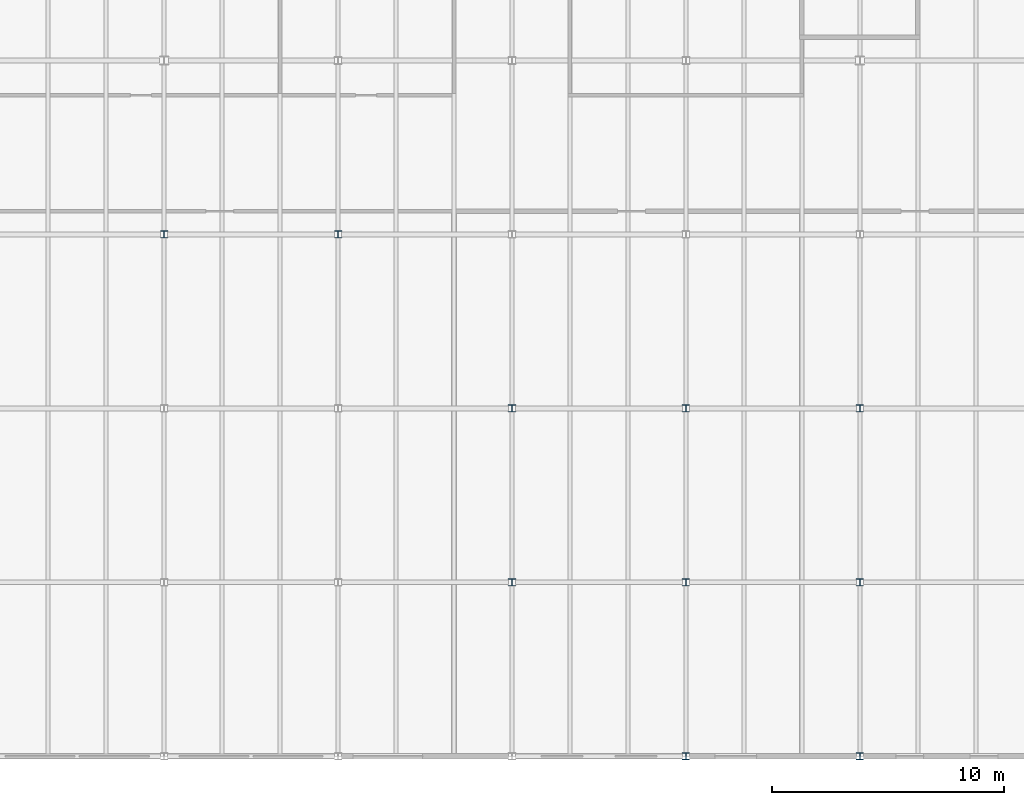
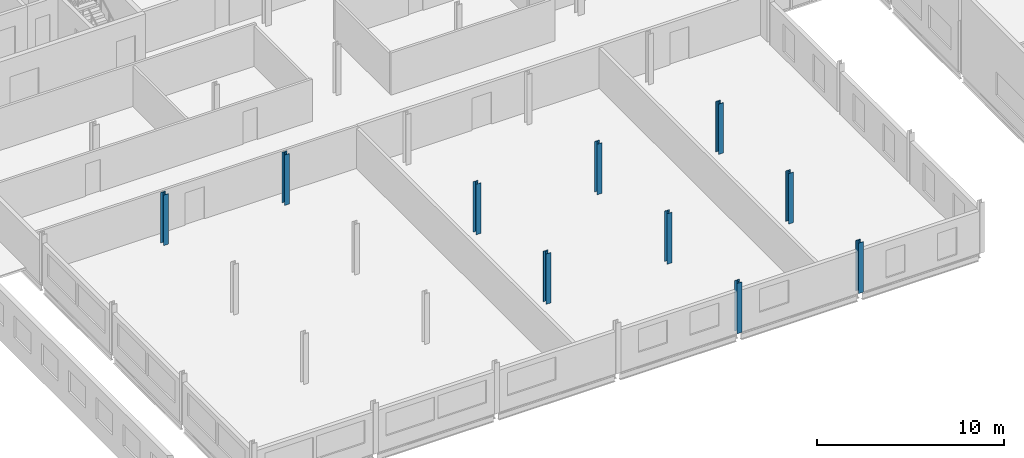
# One storey, part 6 of 198: 10 columns.
"""IFC4 building model written with IfcOpenShell, lengths in metres."""

from ifc_helpers import new_model, si_unit, direction, frame, origin, origin_2d, place, context, subcontext, project, spatial, i_section, extrude, material, material_profile, profile_set, type_object, element, save


model = new_model("IFC4")

# Units and contexts
model_context = context("Model", 3, precision=1e-05, world=origin(), true_north=direction((0.0, 1.0)))
body_context = subcontext(model_context, "Body", "Model", "MODEL_VIEW")
ifc_project = project(units=[si_unit("LENGTHUNIT", "METRE"), si_unit("AREAUNIT", "SQUARE_METRE"), si_unit("VOLUMEUNIT", "CUBIC_METRE"), si_unit("PLANEANGLEUNIT", "RADIAN"), si_unit("MASSUNIT", "GRAM", prefix="KILO")], contexts=[model_context])

# Site, building, storey
site_placement = place(None, origin())
site = spatial("IfcSite", under=ifc_project, at=site_placement, CompositionType="ELEMENT")
building_placement = place(site_placement, origin())
building = spatial("IfcBuilding", under=site, at=building_placement, Name="Parallax Yard Mobility Hub", CompositionType="ELEMENT")
storey_placement = place(building_placement, frame((0.0, 0.0, 6.60009765625)))
storey = spatial("IfcBuildingStorey", under=building, at=storey_placement, Name="L02", CompositionType="ELEMENT", Elevation=6.60009765625)

# Columns
ifc_material = material(Name="Steel ASTM A992", Category="steel")
ifc_material_profile = material_profile(ifc_material, i_section(OverallWidth=0.304931640625, OverallDepth=0.306884765625, WebThickness=0.010009765625, FlangeThickness=0.015380859375, FilletRadius=0.01513671875, at=origin_2d()), Name="W310x97")
ifc_profile_set = profile_set([ifc_material_profile], Name="Steel ASTM A992")
column_type = type_object("IfcColumnType", Name="W310x97 column", PredefinedType="COLUMN", material=ifc_profile_set)
for number, where, z_axis, x_axis, name in (
    (1, (105.0, 30.0, 0.0), (0.0, 0.0, 1.0), (1.0, 0.0, 0.0), "Column C1 level L02 at E/15 of mobility service centre and workshops"),
    (2, (112.5, 30.0, 0.0), (0.0, 0.0, 1.0), (1.0, 0.0, 0.0), "Column C1 level L02 at E/16 of mobility service centre and workshops"),
    (3, (120.0, 15.0, 0.0), (0.0, 0.0, 1.0), (1.0, 0.0, 0.0), "Column C1 level L02 at C/17 of mobility service centre and workshops"),
    (4, (120.0, 22.5, 0.0), (0.0, 0.0, 1.0), (1.0, 0.0, 0.0), "Column C1 level L02 at D/17 of mobility service centre and workshops"),
    (5, (127.5, 7.5, 0.0), (0.0, 0.0, 1.0), (1.0, 0.0, 0.0), "Column C1 level L02 at B/18 of mobility service centre and workshops"),
    (6, (127.5, 15.0, 0.0), (0.0, 0.0, 1.0), (1.0, 0.0, 0.0), "Column C1 level L02 at C/18 of mobility service centre and workshops"),
    (7, (127.5, 22.5, 0.0), (0.0, 0.0, 1.0), (1.0, 0.0, 0.0), "Column C1 level L02 at D/18 of mobility service centre and workshops"),
    (8, (135.0, 7.5, 0.0), (0.0, 0.0, 1.0), (1.0, 0.0, 0.0), "Column C1 level L02 at B/19 of mobility service centre and workshops"),
    (9, (135.0, 15.0, 0.0), (0.0, 0.0, 1.0), (1.0, 0.0, 0.0), "Column C1 level L02 at C/19 of mobility service centre and workshops"),
    (10, (135.0, 22.5, 0.0), (0.0, 0.0, 1.0), (1.0, 0.0, 0.0), "Column C1 level L02 at D/19 of mobility service centre and workshops"),
):
    element("IfcColumn", number, at=place(storey_placement, frame(where, z_axis=z_axis, x_axis=x_axis)), inside=storey, type_object=column_type, Name=name, PredefinedType="COLUMN", context=body_context, shape_type="SweptSolid", body=[
        extrude(i_section(OverallWidth=0.304931640625, OverallDepth=0.306884765625, WebThickness=0.010009765625, FlangeThickness=0.015380859375, FilletRadius=0.01513671875, at=origin_2d()), origin(), (0.0, 0.0, 1.0), 3.2998046875),
    ])

save(model, "model.ifc")
